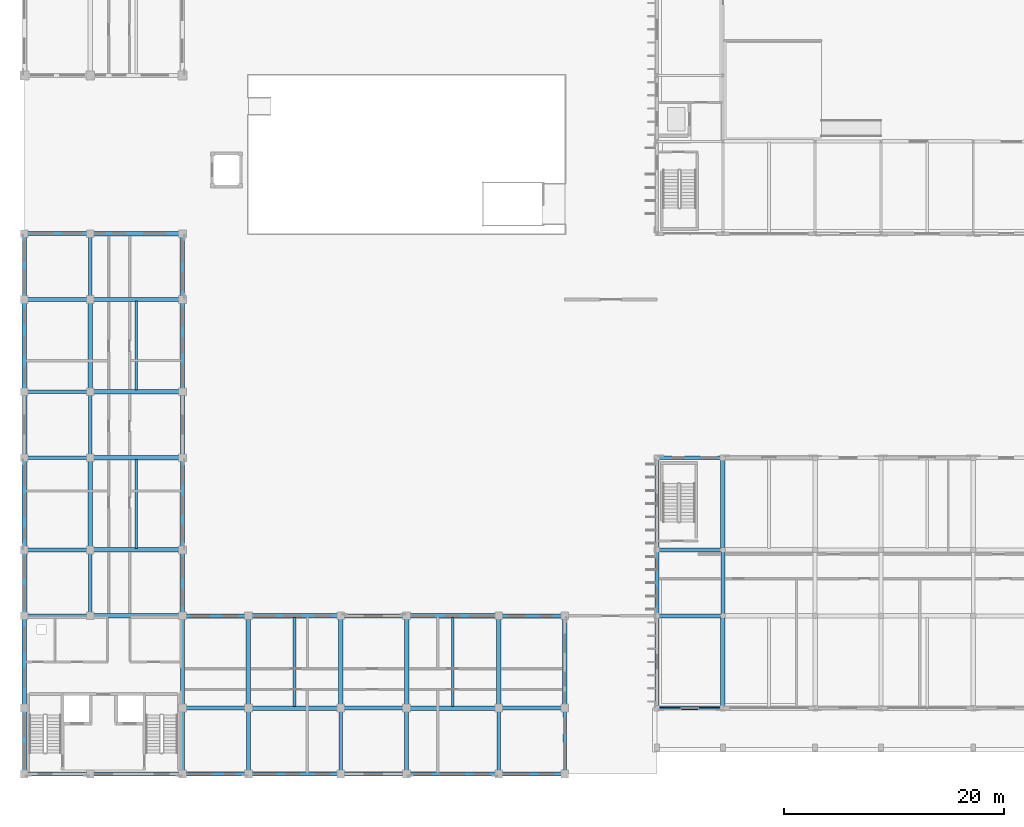
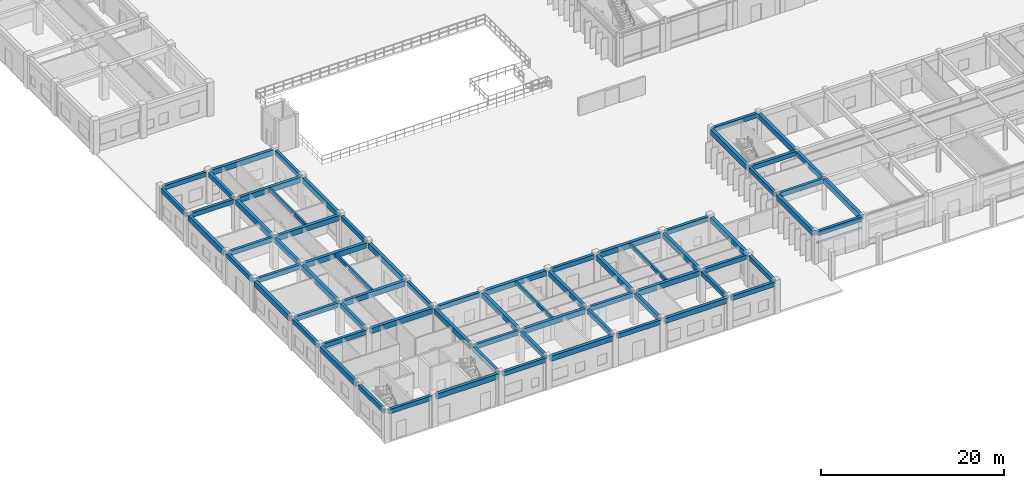
# One storey, part 11 of 67: 73 beams.
"""IFC4 building model written with IfcOpenShell, lengths in metres."""

from ifc_helpers import new_model, si_unit, direction, frame, origin, origin_2d, place, context, subcontext, project, spatial, rectangle, extrude, material, material_profile, profile_set, type_object, element, save


model = new_model("IFC4")

# Units and contexts
model_context = context("Model", 3, precision=1e-05, world=origin(), true_north=direction((0.0, 1.0)))
body_context = subcontext(model_context, "Body", "Model", "MODEL_VIEW")
ifc_project = project(units=[si_unit("LENGTHUNIT", "METRE"), si_unit("AREAUNIT", "SQUARE_METRE"), si_unit("VOLUMEUNIT", "CUBIC_METRE"), si_unit("PLANEANGLEUNIT", "RADIAN"), si_unit("MASSUNIT", "GRAM", prefix="KILO"), si_unit("THERMODYNAMICTEMPERATUREUNIT", "KELVIN")], contexts=[model_context])

# Site, building, storey
site_placement = place(None, origin())
site = spatial("IfcSite", under=ifc_project, at=site_placement, CompositionType="ELEMENT")
building_placement = place(site_placement, origin())
building = spatial("IfcBuilding", under=site, at=building_placement, Name="Thalorik Housing Commons", CompositionType="ELEMENT")
storey_placement = place(building_placement, origin())
storey = spatial("IfcBuildingStorey", under=building, at=storey_placement, Name="L00", CompositionType="ELEMENT", Elevation=0.0)

# Beams
ifc_material = material(Name="Precast concrete C40/50", Category="concrete")
ifc_material_profile_1 = material_profile(ifc_material, rectangle(XDim=0.35009765625, YDim=0.60009765625, at=origin_2d()), Name="PC 350x600", Category="concrete")
ifc_profile_set_1 = profile_set([ifc_material_profile_1], Name="Precast concrete C40/50")
beam_type_1 = type_object("IfcBeamType", Name="STR-BM-PC350x600", PredefinedType="BEAM", material=ifc_profile_set_1)
beam_1_placement = place(storey_placement, frame((8.699951171875, 8.39990234375, 3.89990234375), z_axis=(1.0, 0.0, 0.0), x_axis=(0.0, 1.0, 0.0)))
element("IfcBeam", 1, at=beam_1_placement, inside=storey, type_object=beam_type_1, Name="L00 Beam B-600", PredefinedType="BEAM", context=body_context, shape_type="SweptSolid", body=[
    extrude(rectangle(XDim=0.35009765625, YDim=0.60009765625, at=origin_2d()), origin(), (0.0, 0.0, 1.0), 5.400146484375),
])
for number, where, z_axis, x_axis, name in (
    (2, (23.10009765625, 8.39990234375, 3.89990234375), (1.0, 0.0, 0.0), (0.0, 1.0, 0.0), "L00 Beam B-600"),
    (3, (37.5, 8.39990234375, 3.89990234375), (1.0, 0.0, 0.0), (0.0, 1.0, 0.0), "L00 Beam B-600"),
):
    element("IfcBeam", number, at=place(storey_placement, frame(where, z_axis=z_axis, x_axis=x_axis)), inside=storey, type_object=beam_type_1, Name=name, PredefinedType="BEAM", context=body_context, shape_type="SweptSolid", body=[
        extrude(rectangle(XDim=0.35009765625, YDim=0.60009765625, at=origin_2d()), origin(), (0.0, 0.0, 1.0), 5.39990234375),
    ])
beam_2_placement = place(storey_placement, frame((51.89990234375, 8.39990234375, 3.89990234375), z_axis=(1.0, 0.0, 0.0), x_axis=(0.0, 1.0, 0.0)))
element("IfcBeam", 4, at=beam_2_placement, inside=storey, type_object=beam_type_1, Name="L00 Beam B-600", PredefinedType="BEAM", context=body_context, shape_type="SweptSolid", body=[
    extrude(rectangle(XDim=0.35009765625, YDim=0.60009765625, at=origin_2d()), origin(), (0.0, 0.0, 1.0), 5.400146484375),
])
for number, where, z_axis, x_axis, name in (
    (5, (23.10009765625, 14.39990234375, 3.89990234375), (1.0, 0.0, 0.0), (0.0, 1.0, 0.0), "L00 Beam B-600"),
    (6, (37.5, 14.39990234375, 3.89990234375), (1.0, 0.0, 0.0), (0.0, 1.0, 0.0), "L00 Beam B-600"),
):
    element("IfcBeam", number, at=place(storey_placement, frame(where, z_axis=z_axis, x_axis=x_axis)), inside=storey, type_object=beam_type_1, Name=name, PredefinedType="BEAM", context=body_context, shape_type="SweptSolid", body=[
        extrude(rectangle(XDim=0.35009765625, YDim=0.60009765625, at=origin_2d()), origin(), (0.0, 0.0, 1.0), 5.39990234375),
    ])
beam_3_placement = place(storey_placement, frame((51.89990234375, 14.39990234375, 3.89990234375), z_axis=(1.0, 0.0, 0.0), x_axis=(0.0, 1.0, 0.0)))
element("IfcBeam", 7, at=beam_3_placement, inside=storey, type_object=beam_type_1, Name="L00 Beam B-600", PredefinedType="BEAM", context=body_context, shape_type="SweptSolid", body=[
    extrude(rectangle(XDim=0.35009765625, YDim=0.60009765625, at=origin_2d()), origin(), (0.0, 0.0, 1.0), 5.400146484375),
])
beam_4_placement = place(storey_placement, frame((66.199951171875, 14.39990234375, 3.89990234375), z_axis=(1.0, 0.0, 0.0), x_axis=(0.0, 1.0, 0.0)))
element("IfcBeam", 8, at=beam_4_placement, inside=storey, type_object=beam_type_1, Name="L00 Beam B-600", PredefinedType="BEAM", context=body_context, shape_type="SweptSolid", body=[
    extrude(rectangle(XDim=0.35009765625, YDim=0.60009765625, at=origin_2d()), origin(), (0.0, 0.0, 1.0), 5.60009765625),
])
beam_5_placement = place(storey_placement, frame((8.699951171875, 22.800048828125, 3.89990234375), z_axis=(1.0, 0.0, 0.0), x_axis=(0.0, 1.0, 0.0)))
element("IfcBeam", 9, at=beam_5_placement, inside=storey, type_object=beam_type_1, Name="L00 Beam B-600", PredefinedType="BEAM", context=body_context, shape_type="SweptSolid", body=[
    extrude(rectangle(XDim=0.35009765625, YDim=0.60009765625, at=origin_2d()), origin(), (0.0, 0.0, 1.0), 5.400146484375),
])
for number, where, z_axis, x_axis, name in (
    (10, (23.10009765625, 22.800048828125, 3.89990234375), (1.0, 0.0, 0.0), (0.0, 1.0, 0.0), "L00 Beam B-600"),
    (11, (37.5, 22.800048828125, 3.89990234375), (1.0, 0.0, 0.0), (0.0, 1.0, 0.0), "L00 Beam B-600"),
):
    element("IfcBeam", number, at=place(storey_placement, frame(where, z_axis=z_axis, x_axis=x_axis)), inside=storey, type_object=beam_type_1, Name=name, PredefinedType="BEAM", context=body_context, shape_type="SweptSolid", body=[
        extrude(rectangle(XDim=0.35009765625, YDim=0.60009765625, at=origin_2d()), origin(), (0.0, 0.0, 1.0), 5.39990234375),
    ])
beam_6_placement = place(storey_placement, frame((51.89990234375, 22.800048828125, 3.89990234375), z_axis=(1.0, 0.0, 0.0), x_axis=(0.0, 1.0, 0.0)))
element("IfcBeam", 12, at=beam_6_placement, inside=storey, type_object=beam_type_1, Name="L00 Beam B-600", PredefinedType="BEAM", context=body_context, shape_type="SweptSolid", body=[
    extrude(rectangle(XDim=0.35009765625, YDim=0.60009765625, at=origin_2d()), origin(), (0.0, 0.0, 1.0), 5.400146484375),
])
beam_7_placement = place(storey_placement, frame((66.199951171875, 22.800048828125, 3.89990234375), z_axis=(1.0, 0.0, 0.0), x_axis=(0.0, 1.0, 0.0)))
element("IfcBeam", 13, at=beam_7_placement, inside=storey, type_object=beam_type_1, Name="L00 Beam B-600", PredefinedType="BEAM", context=body_context, shape_type="SweptSolid", body=[
    extrude(rectangle(XDim=0.35009765625, YDim=0.60009765625, at=origin_2d()), origin(), (0.0, 0.0, 1.0), 5.60009765625),
])
beam_8_placement = place(storey_placement, frame((8.699951171875, 28.800048828125, 3.89990234375), z_axis=(1.0, 0.0, 0.0), x_axis=(0.0, 1.0, 0.0)))
element("IfcBeam", 14, at=beam_8_placement, inside=storey, type_object=beam_type_1, Name="L00 Beam B-600", PredefinedType="BEAM", context=body_context, shape_type="SweptSolid", body=[
    extrude(rectangle(XDim=0.35009765625, YDim=0.60009765625, at=origin_2d()), origin(), (0.0, 0.0, 1.0), 5.400146484375),
])
beam_9_placement = place(storey_placement, frame((66.199951171875, 28.800048828125, 3.89990234375), z_axis=(1.0, 0.0, 0.0), x_axis=(0.0, 1.0, 0.0)))
element("IfcBeam", 15, at=beam_9_placement, inside=storey, type_object=beam_type_1, Name="L00 Beam B-600", PredefinedType="BEAM", context=body_context, shape_type="SweptSolid", body=[
    extrude(rectangle(XDim=0.35009765625, YDim=0.60009765625, at=origin_2d()), origin(), (0.0, 0.0, 1.0), 5.60009765625),
])
beam_10_placement = place(storey_placement, frame((8.699951171875, 37.199951171875, 3.89990234375), z_axis=(1.0, 0.0, 0.0), x_axis=(0.0, 1.0, 0.0)))
element("IfcBeam", 16, at=beam_10_placement, inside=storey, type_object=beam_type_1, Name="L00 Beam B-600", PredefinedType="BEAM", context=body_context, shape_type="SweptSolid", body=[
    extrude(rectangle(XDim=0.35009765625, YDim=0.60009765625, at=origin_2d()), origin(), (0.0, 0.0, 1.0), 5.400146484375),
])
beam_11_placement = place(storey_placement, frame((66.199951171875, 37.199951171875, 3.89990234375), z_axis=(1.0, 0.0, 0.0), x_axis=(0.0, 1.0, 0.0)))
element("IfcBeam", 17, at=beam_11_placement, inside=storey, type_object=beam_type_1, Name="L00 Beam B-600", PredefinedType="BEAM", context=body_context, shape_type="SweptSolid", body=[
    extrude(rectangle(XDim=0.35009765625, YDim=0.60009765625, at=origin_2d()), origin(), (0.0, 0.0, 1.0), 5.60009765625),
])
for number, where, z_axis, x_axis, name in (
    (18, (8.699951171875, 43.199951171875, 3.89990234375), (1.0, 0.0, 0.0), (0.0, 1.0, 0.0), "L00 Beam B-600"),
    (19, (8.699951171875, 51.60009765625, 3.89990234375), (1.0, 0.0, 0.0), (0.0, 1.0, 0.0), "L00 Beam B-600"),
    (20, (8.699951171875, 57.60009765625, 3.89990234375), (1.0, 0.0, 0.0), (0.0, 1.0, 0.0), "L00 Beam B-600"),
    (21, (8.39990234375, 8.699951171875, 3.89990234375), (0.0, 1.0, 0.0), (-1.0, 0.0, 0.0), "L00 Beam B-600"),
):
    element("IfcBeam", number, at=place(storey_placement, frame(where, z_axis=z_axis, x_axis=x_axis)), inside=storey, type_object=beam_type_1, Name=name, PredefinedType="BEAM", context=body_context, shape_type="SweptSolid", body=[
        extrude(rectangle(XDim=0.35009765625, YDim=0.60009765625, at=origin_2d()), origin(), (0.0, 0.0, 1.0), 5.400146484375),
    ])
for number, where, z_axis, x_axis, name in (
    (22, (8.39990234375, 23.10009765625, 3.89990234375), (0.0, 1.0, 0.0), (-1.0, 0.0, 0.0), "L00 Beam B-600"),
    (23, (8.39990234375, 37.5, 3.89990234375), (0.0, 1.0, 0.0), (-1.0, 0.0, 0.0), "L00 Beam B-600"),
):
    element("IfcBeam", number, at=place(storey_placement, frame(where, z_axis=z_axis, x_axis=x_axis)), inside=storey, type_object=beam_type_1, Name=name, PredefinedType="BEAM", context=body_context, shape_type="SweptSolid", body=[
        extrude(rectangle(XDim=0.35009765625, YDim=0.60009765625, at=origin_2d()), origin(), (0.0, 0.0, 1.0), 5.39990234375),
    ])
beam_12_placement = place(storey_placement, frame((8.39990234375, 51.89990234375, 3.89990234375), z_axis=(0.0, 1.0, 0.0), x_axis=(-1.0, 0.0, 0.0)))
element("IfcBeam", 24, at=beam_12_placement, inside=storey, type_object=beam_type_1, Name="L00 Beam B-600", PredefinedType="BEAM", context=body_context, shape_type="SweptSolid", body=[
    extrude(rectangle(XDim=0.35009765625, YDim=0.60009765625, at=origin_2d()), origin(), (0.0, 0.0, 1.0), 5.400146484375),
])
for number, where, z_axis, x_axis, name in (
    (25, (14.39990234375, 23.10009765625, 3.89990234375), (0.0, 1.0, 0.0), (-1.0, 0.0, 0.0), "L00 Beam B-600"),
    (26, (14.39990234375, 37.5, 3.89990234375), (0.0, 1.0, 0.0), (-1.0, 0.0, 0.0), "L00 Beam B-600"),
):
    element("IfcBeam", number, at=place(storey_placement, frame(where, z_axis=z_axis, x_axis=x_axis)), inside=storey, type_object=beam_type_1, Name=name, PredefinedType="BEAM", context=body_context, shape_type="SweptSolid", body=[
        extrude(rectangle(XDim=0.35009765625, YDim=0.60009765625, at=origin_2d()), origin(), (0.0, 0.0, 1.0), 5.39990234375),
    ])
for number, where, z_axis, x_axis, name in (
    (27, (14.39990234375, 51.89990234375, 3.89990234375), (0.0, 1.0, 0.0), (-1.0, 0.0, 0.0), "L00 Beam B-600"),
    (28, (22.800048828125, 8.699951171875, 3.89990234375), (0.0, 1.0, 0.0), (-1.0, 0.0, 0.0), "L00 Beam B-600"),
):
    element("IfcBeam", number, at=place(storey_placement, frame(where, z_axis=z_axis, x_axis=x_axis)), inside=storey, type_object=beam_type_1, Name=name, PredefinedType="BEAM", context=body_context, shape_type="SweptSolid", body=[
        extrude(rectangle(XDim=0.35009765625, YDim=0.60009765625, at=origin_2d()), origin(), (0.0, 0.0, 1.0), 5.400146484375),
    ])
for number, where, z_axis, x_axis, name in (
    (29, (22.800048828125, 23.10009765625, 3.89990234375), (0.0, 1.0, 0.0), (-1.0, 0.0, 0.0), "L00 Beam B-600"),
    (30, (22.800048828125, 37.5, 3.89990234375), (0.0, 1.0, 0.0), (-1.0, 0.0, 0.0), "L00 Beam B-600"),
):
    element("IfcBeam", number, at=place(storey_placement, frame(where, z_axis=z_axis, x_axis=x_axis)), inside=storey, type_object=beam_type_1, Name=name, PredefinedType="BEAM", context=body_context, shape_type="SweptSolid", body=[
        extrude(rectangle(XDim=0.35009765625, YDim=0.60009765625, at=origin_2d()), origin(), (0.0, 0.0, 1.0), 5.39990234375),
    ])
for number, where, z_axis, x_axis, name in (
    (31, (22.800048828125, 51.89990234375, 3.89990234375), (0.0, 1.0, 0.0), (-1.0, 0.0, 0.0), "L00 Beam B-600"),
    (32, (28.800048828125, 8.699951171875, 3.89990234375), (0.0, 1.0, 0.0), (-1.0, 0.0, 0.0), "L00 Beam B-600"),
    (33, (37.199951171875, 8.699951171875, 3.89990234375), (0.0, 1.0, 0.0), (-1.0, 0.0, 0.0), "L00 Beam B-600"),
    (34, (43.199951171875, 8.699951171875, 3.89990234375), (0.0, 1.0, 0.0), (-1.0, 0.0, 0.0), "L00 Beam B-600"),
    (35, (51.60009765625, 8.699951171875, 3.89990234375), (0.0, 1.0, 0.0), (-1.0, 0.0, 0.0), "L00 Beam B-600"),
    (36, (57.60009765625, 8.699951171875, 3.89990234375), (0.0, 1.0, 0.0), (-1.0, 0.0, 0.0), "L00 Beam B-600"),
):
    element("IfcBeam", number, at=place(storey_placement, frame(where, z_axis=z_axis, x_axis=x_axis)), inside=storey, type_object=beam_type_1, Name=name, PredefinedType="BEAM", context=body_context, shape_type="SweptSolid", body=[
        extrude(rectangle(XDim=0.35009765625, YDim=0.60009765625, at=origin_2d()), origin(), (0.0, 0.0, 1.0), 5.400146484375),
    ])
for number, where, z_axis, x_axis, name in (
    (37, (66.0, 23.0, 3.89990234375), (0.0, 1.0, 0.0), (-1.0, 0.0, 0.0), "L00 Beam B-600"),
    (38, (72.0, 23.0, 3.89990234375), (0.0, 1.0, 0.0), (-1.0, 0.0, 0.0), "L00 Beam B-600"),
):
    element("IfcBeam", number, at=place(storey_placement, frame(where, z_axis=z_axis, x_axis=x_axis)), inside=storey, type_object=beam_type_1, Name=name, PredefinedType="BEAM", context=body_context, shape_type="SweptSolid", body=[
        extrude(rectangle(XDim=0.35009765625, YDim=0.60009765625, at=origin_2d()), origin(), (0.0, 0.0, 1.0), 5.60009765625),
    ])
ifc_material_profile_2 = material_profile(ifc_material, rectangle(XDim=0.39990234375, YDim=0.699951171875, at=origin_2d()), Name="PC 400x700", Category="concrete")
ifc_profile_set_2 = profile_set([ifc_material_profile_2], Name="Precast concrete C40/50")
beam_type_2 = type_object("IfcBeamType", Name="STR-BM-PC400x700", PredefinedType="BEAM", material=ifc_profile_set_2)
beam_13_placement = place(storey_placement, frame((14.699951171875, 8.39990234375, 3.85009765625), z_axis=(1.0, 0.0, 0.0), x_axis=(0.0, 1.0, 0.0)))
element("IfcBeam", 39, at=beam_13_placement, inside=storey, type_object=beam_type_2, Name="L00 Beam B-700", PredefinedType="BEAM", context=body_context, shape_type="SweptSolid", body=[
    extrude(rectangle(XDim=0.39990234375, YDim=0.699951171875, at=origin_2d()), origin(), (0.0, 0.0, 1.0), 7.800048828125),
])
beam_14_placement = place(storey_placement, frame((29.10009765625, 8.39990234375, 3.85009765625), z_axis=(1.0, 0.0, 0.0), x_axis=(0.0, 1.0, 0.0)))
element("IfcBeam", 40, at=beam_14_placement, inside=storey, type_object=beam_type_2, Name="L00 Beam B-700", PredefinedType="BEAM", context=body_context, shape_type="SweptSolid", body=[
    extrude(rectangle(XDim=0.39990234375, YDim=0.699951171875, at=origin_2d()), origin(), (0.0, 0.0, 1.0), 7.7998046875),
])
beam_15_placement = place(storey_placement, frame((43.5, 8.39990234375, 3.85009765625), z_axis=(1.0, 0.0, 0.0), x_axis=(0.0, 1.0, 0.0)))
element("IfcBeam", 41, at=beam_15_placement, inside=storey, type_object=beam_type_2, Name="L00 Beam B-700", PredefinedType="BEAM", context=body_context, shape_type="SweptSolid", body=[
    extrude(rectangle(XDim=0.39990234375, YDim=0.699951171875, at=origin_2d()), origin(), (0.0, 0.0, 1.0), 7.800048828125),
])
beam_16_placement = place(storey_placement, frame((29.10009765625, 14.39990234375, 3.85009765625), z_axis=(1.0, 0.0, 0.0), x_axis=(0.0, 1.0, 0.0)))
element("IfcBeam", 42, at=beam_16_placement, inside=storey, type_object=beam_type_2, Name="L00 Beam B-700", PredefinedType="BEAM", context=body_context, shape_type="SweptSolid", body=[
    extrude(rectangle(XDim=0.39990234375, YDim=0.699951171875, at=origin_2d()), origin(), (0.0, 0.0, 1.0), 7.7998046875),
])
for number, where, z_axis, x_axis, name in (
    (43, (43.5, 14.39990234375, 3.85009765625), (1.0, 0.0, 0.0), (0.0, 1.0, 0.0), "L00 Beam B-700"),
    (44, (14.699951171875, 22.800048828125, 3.85009765625), (1.0, 0.0, 0.0), (0.0, 1.0, 0.0), "L00 Beam B-700"),
):
    element("IfcBeam", number, at=place(storey_placement, frame(where, z_axis=z_axis, x_axis=x_axis)), inside=storey, type_object=beam_type_2, Name=name, PredefinedType="BEAM", context=body_context, shape_type="SweptSolid", body=[
        extrude(rectangle(XDim=0.39990234375, YDim=0.699951171875, at=origin_2d()), origin(), (0.0, 0.0, 1.0), 7.800048828125),
    ])
beam_17_placement = place(storey_placement, frame((29.10009765625, 22.800048828125, 3.85009765625), z_axis=(1.0, 0.0, 0.0), x_axis=(0.0, 1.0, 0.0)))
element("IfcBeam", 45, at=beam_17_placement, inside=storey, type_object=beam_type_2, Name="L00 Beam B-700", PredefinedType="BEAM", context=body_context, shape_type="SweptSolid", body=[
    extrude(rectangle(XDim=0.39990234375, YDim=0.699951171875, at=origin_2d()), origin(), (0.0, 0.0, 1.0), 7.7998046875),
])
for number, where, z_axis, x_axis, name in (
    (46, (43.5, 22.800048828125, 3.85009765625), (1.0, 0.0, 0.0), (0.0, 1.0, 0.0), "L00 Beam B-700"),
    (47, (14.699951171875, 28.800048828125, 3.85009765625), (1.0, 0.0, 0.0), (0.0, 1.0, 0.0), "L00 Beam B-700"),
    (48, (14.699951171875, 37.199951171875, 3.85009765625), (1.0, 0.0, 0.0), (0.0, 1.0, 0.0), "L00 Beam B-700"),
    (49, (14.699951171875, 43.199951171875, 3.85009765625), (1.0, 0.0, 0.0), (0.0, 1.0, 0.0), "L00 Beam B-700"),
    (50, (14.699951171875, 51.60009765625, 3.85009765625), (1.0, 0.0, 0.0), (0.0, 1.0, 0.0), "L00 Beam B-700"),
    (51, (14.699951171875, 57.60009765625, 3.85009765625), (1.0, 0.0, 0.0), (0.0, 1.0, 0.0), "L00 Beam B-700"),
    (52, (8.39990234375, 14.699951171875, 3.85009765625), (0.0, 1.0, 0.0), (-1.0, 0.0, 0.0), "L00 Beam B-700"),
):
    element("IfcBeam", number, at=place(storey_placement, frame(where, z_axis=z_axis, x_axis=x_axis)), inside=storey, type_object=beam_type_2, Name=name, PredefinedType="BEAM", context=body_context, shape_type="SweptSolid", body=[
        extrude(rectangle(XDim=0.39990234375, YDim=0.699951171875, at=origin_2d()), origin(), (0.0, 0.0, 1.0), 7.800048828125),
    ])
beam_18_placement = place(storey_placement, frame((8.39990234375, 29.10009765625, 3.85009765625), z_axis=(0.0, 1.0, 0.0), x_axis=(-1.0, 0.0, 0.0)))
element("IfcBeam", 53, at=beam_18_placement, inside=storey, type_object=beam_type_2, Name="L00 Beam B-700", PredefinedType="BEAM", context=body_context, shape_type="SweptSolid", body=[
    extrude(rectangle(XDim=0.39990234375, YDim=0.699951171875, at=origin_2d()), origin(), (0.0, 0.0, 1.0), 7.7998046875),
])
beam_19_placement = place(storey_placement, frame((8.39990234375, 43.5, 3.85009765625), z_axis=(0.0, 1.0, 0.0), x_axis=(-1.0, 0.0, 0.0)))
element("IfcBeam", 54, at=beam_19_placement, inside=storey, type_object=beam_type_2, Name="L00 Beam B-700", PredefinedType="BEAM", context=body_context, shape_type="SweptSolid", body=[
    extrude(rectangle(XDim=0.39990234375, YDim=0.699951171875, at=origin_2d()), origin(), (0.0, 0.0, 1.0), 7.800048828125),
])
beam_20_placement = place(storey_placement, frame((14.39990234375, 29.10009765625, 3.85009765625), z_axis=(0.0, 1.0, 0.0), x_axis=(-1.0, 0.0, 0.0)))
element("IfcBeam", 55, at=beam_20_placement, inside=storey, type_object=beam_type_2, Name="L00 Beam B-700", PredefinedType="BEAM", context=body_context, shape_type="SweptSolid", body=[
    extrude(rectangle(XDim=0.39990234375, YDim=0.699951171875, at=origin_2d()), origin(), (0.0, 0.0, 1.0), 7.7998046875),
])
for number, where, z_axis, x_axis, name in (
    (56, (14.39990234375, 43.5, 3.85009765625), (0.0, 1.0, 0.0), (-1.0, 0.0, 0.0), "L00 Beam B-700"),
    (57, (22.800048828125, 14.699951171875, 3.85009765625), (0.0, 1.0, 0.0), (-1.0, 0.0, 0.0), "L00 Beam B-700"),
):
    element("IfcBeam", number, at=place(storey_placement, frame(where, z_axis=z_axis, x_axis=x_axis)), inside=storey, type_object=beam_type_2, Name=name, PredefinedType="BEAM", context=body_context, shape_type="SweptSolid", body=[
        extrude(rectangle(XDim=0.39990234375, YDim=0.699951171875, at=origin_2d()), origin(), (0.0, 0.0, 1.0), 7.800048828125),
    ])
beam_21_placement = place(storey_placement, frame((22.800048828125, 29.10009765625, 3.85009765625), z_axis=(0.0, 1.0, 0.0), x_axis=(-1.0, 0.0, 0.0)))
element("IfcBeam", 58, at=beam_21_placement, inside=storey, type_object=beam_type_2, Name="L00 Beam B-700", PredefinedType="BEAM", context=body_context, shape_type="SweptSolid", body=[
    extrude(rectangle(XDim=0.39990234375, YDim=0.699951171875, at=origin_2d()), origin(), (0.0, 0.0, 1.0), 7.7998046875),
])
for number, where, z_axis, x_axis, name in (
    (59, (22.800048828125, 43.5, 3.85009765625), (0.0, 1.0, 0.0), (-1.0, 0.0, 0.0), "L00 Beam B-700"),
    (60, (28.800048828125, 14.699951171875, 3.85009765625), (0.0, 1.0, 0.0), (-1.0, 0.0, 0.0), "L00 Beam B-700"),
    (61, (37.199951171875, 14.699951171875, 3.85009765625), (0.0, 1.0, 0.0), (-1.0, 0.0, 0.0), "L00 Beam B-700"),
    (62, (43.199951171875, 14.699951171875, 3.85009765625), (0.0, 1.0, 0.0), (-1.0, 0.0, 0.0), "L00 Beam B-700"),
    (63, (51.60009765625, 14.699951171875, 3.85009765625), (0.0, 1.0, 0.0), (-1.0, 0.0, 0.0), "L00 Beam B-700"),
    (64, (57.60009765625, 14.699951171875, 3.85009765625), (0.0, 1.0, 0.0), (-1.0, 0.0, 0.0), "L00 Beam B-700"),
):
    element("IfcBeam", number, at=place(storey_placement, frame(where, z_axis=z_axis, x_axis=x_axis)), inside=storey, type_object=beam_type_2, Name=name, PredefinedType="BEAM", context=body_context, shape_type="SweptSolid", body=[
        extrude(rectangle(XDim=0.39990234375, YDim=0.699951171875, at=origin_2d()), origin(), (0.0, 0.0, 1.0), 7.800048828125),
    ])
for number, where, z_axis, x_axis, name in (
    (65, (66.0, 14.60009765625, 3.85009765625), (0.0, 1.0, 0.0), (-1.0, 0.0, 0.0), "L00 Beam B-700"),
    (66, (66.0, 29.0, 3.85009765625), (0.0, 1.0, 0.0), (-1.0, 0.0, 0.0), "L00 Beam B-700"),
    (67, (72.0, 14.60009765625, 3.85009765625), (0.0, 1.0, 0.0), (-1.0, 0.0, 0.0), "L00 Beam B-700"),
    (68, (72.0, 29.0, 3.85009765625), (0.0, 1.0, 0.0), (-1.0, 0.0, 0.0), "L00 Beam B-700"),
):
    element("IfcBeam", number, at=place(storey_placement, frame(where, z_axis=z_axis, x_axis=x_axis)), inside=storey, type_object=beam_type_2, Name=name, PredefinedType="BEAM", context=body_context, shape_type="SweptSolid", body=[
        extrude(rectangle(XDim=0.39990234375, YDim=0.699951171875, at=origin_2d()), origin(), (0.0, 0.0, 1.0), 8.0),
    ])
ifc_material_profile_3 = material_profile(ifc_material, rectangle(XDim=0.239990234375, YDim=0.43994140625, at=origin_2d()), Name="PC JST 240x440", Category="concrete")
ifc_profile_set_3 = profile_set([ifc_material_profile_3], Name="Precast concrete C40/50")
beam_type_3 = type_object("IfcBeamType", Name="STR-JST-PC240x440", PredefinedType="JOIST", material=ifc_profile_set_3)
for number, where, z_axis, x_axis, name in (
    (69, (33.0, 14.550048828125, 3.97998046875), (0.0, 1.0, 0.0), (-1.0, 0.0, 0.0), "L00 Beam J-440"),
    (70, (47.39990234375, 14.550048828125, 3.97998046875), (0.0, 1.0, 0.0), (-1.0, 0.0, 0.0), "L00 Beam J-440"),
):
    element("IfcBeam", number, at=place(storey_placement, frame(where, z_axis=z_axis, x_axis=x_axis)), inside=storey, type_object=beam_type_3, Name=name, PredefinedType="JOIST", context=body_context, shape_type="SweptSolid", body=[
        extrude(rectangle(XDim=0.239990234375, YDim=0.43994140625, at=origin_2d()), origin(), (0.0, 0.0, 1.0), 8.099853515625),
    ])
beam_22_placement = place(storey_placement, frame((18.60009765625, 28.949951171875, 3.97998046875), z_axis=(0.0, 1.0, 0.0), x_axis=(-1.0, 0.0, 0.0)))
element("IfcBeam", 71, at=beam_22_placement, inside=storey, type_object=beam_type_3, Name="L00 Beam J-440", PredefinedType="JOIST", context=body_context, shape_type="SweptSolid", body=[
    extrude(rectangle(XDim=0.239990234375, YDim=0.43994140625, at=origin_2d()), origin(), (0.0, 0.0, 1.0), 8.10009765625),
])
beam_23_placement = place(storey_placement, frame((18.60009765625, 43.35009765625, 3.97998046875), z_axis=(0.0, 1.0, 0.0), x_axis=(-1.0, 0.0, 0.0)))
element("IfcBeam", 72, at=beam_23_placement, inside=storey, type_object=beam_type_3, Name="L00 Beam J-440", PredefinedType="JOIST", context=body_context, shape_type="SweptSolid", body=[
    extrude(rectangle(XDim=0.239990234375, YDim=0.43994140625, at=origin_2d()), origin(), (0.0, 0.0, 1.0), 8.099853515625),
])
ifc_material_profile_4 = material_profile(ifc_material, rectangle(XDim=0.159912109375, YDim=0.239990234375, at=origin_2d()), Name="PC LIN 160x240", Category="concrete")
ifc_profile_set_4 = profile_set([ifc_material_profile_4], Name="Precast concrete C40/50")
beam_type_4 = type_object("IfcBeamType", Name="STR-LIN-PC160x240", PredefinedType="LINTEL", material=ifc_profile_set_4)
beam_24_placement = place(storey_placement, frame((66.14990234375, 14.39990234375, 2.6201171875), z_axis=(1.0, 0.0, 0.0), x_axis=(0.0, 1.0, 0.0)))
element("IfcBeam", 73, at=beam_24_placement, inside=storey, type_object=beam_type_4, Name="L00 Shopfront Precast Lintel 1", PredefinedType="LINTEL", context=body_context, shape_type="SweptSolid", body=[
    extrude(rectangle(XDim=0.159912109375, YDim=0.239990234375, at=origin_2d()), origin(), (0.0, 0.0, 1.0), 5.7001953125),
])

save(model, "model.ifc")
